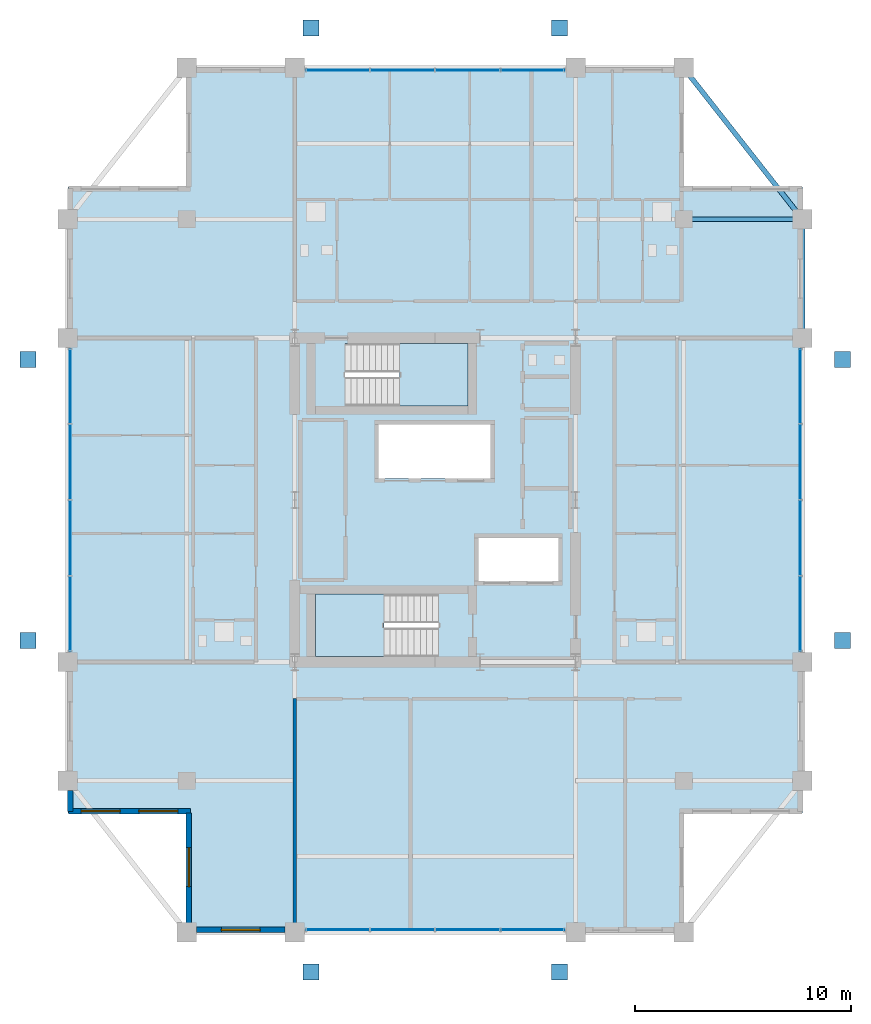
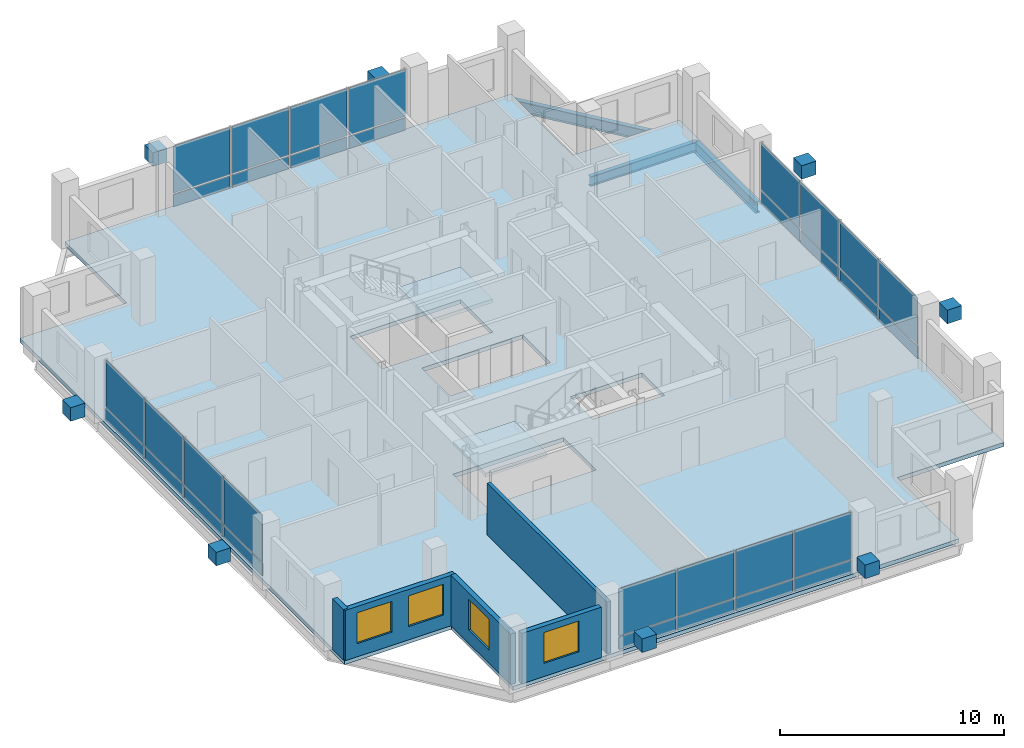
# One storey, part 15 of 21: 40 plates, 5 walls, 4 windows, 3 beams, 3 slabs, 4 openings, 6 elements without a shape of their own.
"""IFC4 building model written with IfcOpenShell, lengths in metres."""

import ifcopenshell
import ifcopenshell.guid

model = None  # the IFC model being written
_history = None  # IfcOwnerHistory: only IFC2X3 demands one
_inside = {}  # id of a spatial element -> (the spatial element, [elements in it])
_under = {}  # id of a project, library or spatial element -> (it, [spatial elements below it])
_declared = {}  # id of a project -> (the project, [libraries it declares])
_typed = {}  # id of a type object -> (the type object, [elements of that type])
_made_of = {}  # id of a material, layer set ... -> (it, [elements and type objects made of it])


def new_model(schema):
    """Start an empty IFC model of exactly this schema.

    Asked for "IFC4X3", IfcOpenShell would pick the latest addendum, in which some entities
    have other attributes; the version numbers below select the first issue.
    IFC2X3 requires an IfcOwnerHistory on every rooted entity: one is made here for all.
    """
    global model, _history
    if schema == "IFC4X3":
        model = ifcopenshell.file(schema_version=(4, 3, 0, 0))
    else:
        model = ifcopenshell.file(schema=schema)
    _inside.clear()
    _under.clear()
    _declared.clear()
    _typed.clear()
    _made_of.clear()
    _history = None
    if model.schema == "IFC2X3":
        org = make("IfcOrganization", Name="unknown")
        user = make(
            "IfcPersonAndOrganization",
            ThePerson=make("IfcPerson", FamilyName="unknown"),
            TheOrganization=org,
        )
        app = make(
            "IfcApplication",
            ApplicationDeveloper=org,
            Version="unknown",
            ApplicationFullName="unknown",
            ApplicationIdentifier="unknown",
        )
        _history = make(
            "IfcOwnerHistory",
            OwningUser=user,
            OwningApplication=app,
            ChangeAction="ADDED",
            CreationDate=0,
        )
    return model


def make(cls, **values):
    """One entity of the class cls with the attributes given. An attribute that is None is left unset."""
    return model.create_entity(
        cls, **{name: value for name, value in values.items() if value is not None}
    )


def rooted(cls, **values):
    """An entity with a GlobalId (a new one), such as an element, a storey or a relation."""
    return make(cls, GlobalId=ifcopenshell.guid.new(), OwnerHistory=_history, **values)


def si_unit(unit_type, name, prefix=None):
    """IfcSIUnit, for example si_unit("LENGTHUNIT", "METRE", prefix="MILLI")."""
    return make("IfcSIUnit", UnitType=unit_type, Prefix=prefix, Name=name)


def assignment(units):
    """IfcUnitAssignment: the units of a project."""
    return None if units is None else make("IfcUnitAssignment", Units=units)


def point(xyz):
    """IfcCartesianPoint."""
    return None if xyz is None else make("IfcCartesianPoint", Coordinates=xyz)


def direction(xyz):
    """IfcDirection."""
    return None if xyz is None else make("IfcDirection", DirectionRatios=xyz)


def frame(location, z_axis=None, x_axis=None):
    """IfcAxis2Placement3D, a coordinate frame: its origin and axes. An axis left out is left unset."""
    return make(
        "IfcAxis2Placement3D",
        Location=point(location),
        Axis=direction(z_axis),
        RefDirection=direction(x_axis),
    )


def frame_2d(location, x_axis=None):
    """IfcAxis2Placement2D, a coordinate frame in the plane: its origin and x axis."""
    return make(
        "IfcAxis2Placement2D", Location=point(location), RefDirection=direction(x_axis)
    )


def origin():
    """The frame at (0, 0, 0) with its axes left unset."""
    return frame((0.0, 0.0, 0.0))


def origin_2d():
    """The frame at (0, 0) in the plane with its x axis left unset."""
    return frame_2d((0.0, 0.0))


def place(relative_to, where):
    """IfcLocalPlacement: puts the frame where relative to a parent placement (None: the world)."""
    return make(
        "IfcLocalPlacement", PlacementRelTo=relative_to, RelativePlacement=where
    )


def context(
    kind, dimensions, precision=None, world=None, true_north=None, identifier=None
):
    """IfcGeometricRepresentationContext, for example the 3D "Model" context."""
    return make(
        "IfcGeometricRepresentationContext",
        ContextIdentifier=identifier,
        ContextType=kind,
        CoordinateSpaceDimension=dimensions,
        Precision=precision,
        WorldCoordinateSystem=world,
        TrueNorth=true_north,
    )


def subcontext(parent, identifier, kind, view, scale=None):
    """IfcGeometricRepresentationSubContext, for example "Body" below "Model"."""
    return make(
        "IfcGeometricRepresentationSubContext",
        ContextIdentifier=identifier,
        ContextType=kind,
        ParentContext=parent,
        TargetScale=scale,
        TargetView=view,
    )


def project(units=None, contexts=None):
    """IfcProject with its units and contexts."""
    return rooted(
        "IfcProject",
        Name="project",
        RepresentationContexts=contexts,
        UnitsInContext=assignment(units),
    )


def spatial(cls, under=None, at=None, **own):
    """A site, building, storey or space (cls), placed at a placement, below another one or the project."""
    s = rooted(cls, ObjectPlacement=at, **own)
    if under is not None:
        _under.setdefault(under.id(), (under, []))[1].append(s)
    return s


def polyline(points):
    """IfcPolyline through the points."""
    return make("IfcPolyline", Points=[point(p) for p in points])


def profile(cls, at=None, kind="AREA", **sizes):
    """A parametric profile (cls). Its sizes go by their IFC names, for example OverallWidth=200.0."""
    return make(cls, ProfileType=kind, Position=at, **sizes)


def rectangle(**sizes):
    """IfcRectangleProfileDef."""
    return profile("IfcRectangleProfileDef", **sizes)


def i_section(**sizes):
    """IfcIShapeProfileDef."""
    return profile("IfcIShapeProfileDef", **sizes)


def outline(outer, holes=None, kind="AREA"):
    """IfcArbitraryClosedProfileDef: a profile drawn as a closed curve; with holes, ...WithVoids."""
    if holes is None:
        return make("IfcArbitraryClosedProfileDef", ProfileType=kind, OuterCurve=outer)
    return make(
        "IfcArbitraryProfileDefWithVoids",
        ProfileType=kind,
        OuterCurve=outer,
        InnerCurves=holes,
    )


def extrude(swept, where, along, depth):
    """IfcExtrudedAreaSolid: the profile swept, set in the frame where, extruded along a direction by depth."""
    return make(
        "IfcExtrudedAreaSolid",
        SweptArea=swept,
        Position=where,
        ExtrudedDirection=direction(along),
        Depth=depth,
    )


def shape(context_of_items, identifier, shape_type, items):
    """IfcShapeRepresentation: the items that make up one representation, for example the "Body"."""
    return make(
        "IfcShapeRepresentation",
        ContextOfItems=context_of_items,
        RepresentationIdentifier=identifier,
        RepresentationType=shape_type,
        Items=items,
    )


def material(Name=None, Category=None):
    """IfcMaterial."""
    return make("IfcMaterial", Name=Name, Category=Category)


def layer(
    of_material, thickness, ventilated=None, Name=None, Category=None, Priority=None
):
    """IfcMaterialLayer: one layer of a wall or slab, of a material (None: an air gap)."""
    return make(
        "IfcMaterialLayer",
        Material=of_material,
        LayerThickness=thickness,
        IsVentilated=ventilated,
        Name=Name,
        Category=Category,
        Priority=Priority,
    )


def layer_set(layers, Name=None):
    """IfcMaterialLayerSet."""
    return make("IfcMaterialLayerSet", MaterialLayers=layers, LayerSetName=Name)


def material_profile(
    of_material, cross_section, Name=None, Category=None, Priority=None
):
    """IfcMaterialProfile: a cross section and its material."""
    return make(
        "IfcMaterialProfile",
        Name=Name,
        Material=of_material,
        Profile=cross_section,
        Priority=Priority,
        Category=Category,
    )


def profile_set(profiles, Name=None, composite=None):
    """IfcMaterialProfileSet."""
    return make(
        "IfcMaterialProfileSet",
        Name=Name,
        MaterialProfiles=profiles,
        CompositeProfile=composite,
    )


def made_of(thing, what):
    """Note that an element or type object is made of a material, layer set ...; save() writes the relation."""
    if what is not None:
        _made_of.setdefault(what.id(), (what, []))[1].append(thing)
    return thing


def type_object(cls, material=None, **own):
    """A type object (cls), such as IfcWallType, which elements share."""
    return made_of(rooted(cls, **own), material)


def element(
    cls,
    number,
    at=None,
    inside=None,
    cuts=None,
    type_object=None,
    material=None,
    context=None,
    identifier="Body",
    shape_type=None,
    held_by="IfcProductDefinitionShape",
    body=None,
    shapes=None,
    **own,
):
    """One element of the class cls, such as IfcWall. Its Tag is "e" and its number.

    at: its placement. inside: the storey or other place that contains it. cuts: it is an
    opening in that element (IfcRelVoidsElement). A single representation is given by context,
    identifier, shape_type and body (its items); several are given by shapes. held_by: the class
    of the entity that holds the representations. save() writes the other relations.
    """
    e = rooted(cls, Tag="e%d" % number, ObjectPlacement=at, **own)
    if body is not None:
        shapes = [shape(context, identifier, shape_type, body)]
    if shapes is not None:
        e.Representation = make(held_by, Representations=shapes)
    if inside is not None:
        _inside.setdefault(inside.id(), (inside, []))[1].append(e)
    if cuts is not None:
        rooted(
            "IfcRelVoidsElement", RelatingBuildingElement=cuts, RelatedOpeningElement=e
        )
    if type_object is not None:
        _typed.setdefault(type_object.id(), (type_object, []))[1].append(e)
    return made_of(e, material)


def fill(opening, filler):
    """IfcRelFillsElement: the door or window that sits in an opening."""
    return rooted(
        "IfcRelFillsElement",
        RelatingOpeningElement=opening,
        RelatedBuildingElement=filler,
    )


def aggregate(whole, parts):
    """IfcRelAggregates: a whole, such as a stair, and the parts it consists of."""
    return rooted("IfcRelAggregates", RelatingObject=whole, RelatedObjects=parts)


def save(model, path):
    """Write the relations noted so far, then the file.

    IfcRelAggregates (storeys below a building ...), IfcRelContainedInSpatialStructure (elements
    in a storey), IfcRelDefinesByType, IfcRelAssociatesMaterial and IfcRelDeclares: one each for
    every whole, place, type object, material and project.
    """
    for whole, parts in _under.values():
        aggregate(whole, parts)
    for where, things in _inside.values():
        rooted(
            "IfcRelContainedInSpatialStructure",
            RelatedElements=things,
            RelatingStructure=where,
        )
    for kind, things in _typed.values():
        rooted("IfcRelDefinesByType", RelatedObjects=things, RelatingType=kind)
    for what, things in _made_of.values():
        rooted("IfcRelAssociatesMaterial", RelatedObjects=things, RelatingMaterial=what)
    for by, libraries in _declared.values():
        rooted("IfcRelDeclares", RelatingContext=by, RelatedDefinitions=libraries)
    model.write(path)


model = new_model("IFC4")

# Units and contexts
model_context = context("Model", 3, precision=1e-05, world=origin(), true_north=direction((0.0, 1.0)))
body_context = subcontext(model_context, "Body", "Model", "MODEL_VIEW")
ifc_project = project(units=[si_unit("LENGTHUNIT", "METRE"), si_unit("AREAUNIT", "SQUARE_METRE"), si_unit("VOLUMEUNIT", "CUBIC_METRE"), si_unit("PLANEANGLEUNIT", "RADIAN"), si_unit("MASSUNIT", "GRAM", prefix="KILO")], contexts=[model_context])

# Site, building, storey
site_placement = place(None, origin())
site = spatial("IfcSite", under=ifc_project, at=site_placement, CompositionType="ELEMENT")
building_placement = place(site_placement, origin())
building = spatial("IfcBuilding", under=site, at=building_placement, Name="Barlavira Tower and Art Museum", CompositionType="ELEMENT")
storey_placement = place(building_placement, frame((0.0, 0.0, 254.699951171875)))
storey = spatial("IfcBuildingStorey", under=building, at=storey_placement, Name="L66", CompositionType="ELEMENT", Elevation=254.699951171875)

# Beams
ifc_material_1 = material(Name="Steel S355", Category="steel")
ifc_material_profile_1 = material_profile(ifc_material_1, i_section(OverallWidth=0.22998046875, OverallDepth=0.616943359375, WebThickness=0.01318359375, FlangeThickness=0.022216796875, at=origin_2d()), Name="W610x140.0")
ifc_profile_set_1 = profile_set([ifc_material_profile_1], Name="Steel S355")
beam_type_1 = type_object("IfcBeamType", Name="Upper Shaft Spandrel Edge Beam W610x140 Steel S355", PredefinedType="SPANDREL", material=ifc_profile_set_1)
beam_1_placement = place(storey_placement, frame((17.0, 7.5, -0.528564453125), z_axis=(0.0, 1.0, 0.0), x_axis=(-1.0, 0.0, 0.0)))
element("IfcBeam", 1, at=beam_1_placement, inside=storey, type_object=beam_type_1, Name="L66 Spandrel 7", PredefinedType="SPANDREL", context=body_context, shape_type="SweptSolid", body=[
    extrude(i_section(OverallWidth=0.22998046875, OverallDepth=0.616943359375, WebThickness=0.01318359375, FlangeThickness=0.022216796875, at=origin_2d()), origin(), (0.0, 0.0, 1.0), 5.5),
])
beam_2_placement = place(storey_placement, frame((17.0, 13.0, -0.528564453125), z_axis=(-0.617821551932, 0.786318338822, 0.0), x_axis=(-0.786318338822, -0.617821551932, 0.0)))
element("IfcBeam", 2, at=beam_2_placement, inside=storey, type_object=beam_type_1, Name="L66 Spandrel 8", PredefinedType="SPANDREL", context=body_context, shape_type="SweptSolid", body=[
    extrude(i_section(OverallWidth=0.22998046875, OverallDepth=0.616943359375, WebThickness=0.01318359375, FlangeThickness=0.022216796875, at=origin_2d()), origin(), (0.0, 0.0, 1.0), 8.90234375),
])
ifc_material_profile_2 = material_profile(ifc_material_1, i_section(OverallWidth=0.2109375, OverallDepth=0.5390625, WebThickness=0.01171875, FlangeThickness=0.018798828125, at=origin_2d()), Name="W530x109.0")
ifc_profile_set_2 = profile_set([ifc_material_profile_2], Name="Steel S355")
beam_type_2 = type_object("IfcBeamType", Name="Zone 3-4 Primary Floor Girder W530x109 Steel S355", PredefinedType="BEAM", material=ifc_profile_set_2)
beam_3_placement = place(storey_placement, frame((11.5, 13.0, -0.489501953125), z_axis=(1.0, 0.0, 0.0), x_axis=(0.0, 1.0, 0.0)))
element("IfcBeam", 3, at=beam_3_placement, inside=storey, type_object=beam_type_2, Name="L66 Girder I-N4", PredefinedType="BEAM", context=body_context, shape_type="SweptSolid", body=[
    extrude(i_section(OverallWidth=0.2109375, OverallDepth=0.5390625, WebThickness=0.01171875, FlangeThickness=0.018798828125, at=origin_2d()), origin(), (0.0, 0.0, 1.0), 5.5),
])

# Curtain wall, plates
ifc_material_2 = material(Name="Low-iron coastal laminated glass", Category="glass")
ifc_layer_1 = layer(ifc_material_2, 0.2099609375, Name="Low-iron coastal laminated glass")
ifc_layer_set_1 = layer_set([ifc_layer_1], Name="Low-iron coastal laminated glass")
curtain_wall_type = type_object("IfcCurtainWallType", Name="Pale-Metal Unitised Curtain Wall Zone 4", PredefinedType="NOTDEFINED", material=ifc_layer_set_1)
curtain_wall_1_placement = place(storey_placement, origin())
curtain_wall_1 = element("IfcCurtainWall", 4, at=curtain_wall_1_placement, inside=storey, type_object=curtain_wall_type, Name="L66 Curtain Wall CW4-L66-S-B2", PredefinedType="NOTDEFINED")
ifc_material_3 = material(Name="Pale anodised aluminium", Category="aluminium")
ifc_layer_2 = layer(ifc_material_3, 0.044921875, Name="Pale anodised aluminium")
ifc_layer_set_2 = layer_set([ifc_layer_2], Name="Pale anodised aluminium")
plate_type_1 = type_object("IfcPlateType", Name="Curtain Wall Pale-Metal Spandrel Panel 45", PredefinedType="CURTAIN_PANEL", material=ifc_layer_set_2)
plate_1_placement = place(storey_placement, frame((-4.5224609375, -19.89990234375, 0.0400390625), z_axis=(0.0, 0.0, 1.0), x_axis=(1.0, 0.0, 0.0)))
plate_1 = element("IfcPlate", 5, at=plate_1_placement, type_object=plate_type_1, Name="CW4-L66-S-B2 Spandrel Panel 0", PredefinedType="CURTAIN_PANEL", context=body_context, shape_type="SweptSolid", body=[
    extrude(rectangle(XDim=2.9150390625, YDim=0.044921875, at=origin_2d()), origin(), (0.0, 0.0, 1.0), 0.6640625),
])
plate_2_placement = place(storey_placement, frame((-1.507568359375, -19.89990234375, 0.0400390625), z_axis=(0.0, 0.0, 1.0), x_axis=(1.0, 0.0, 0.0)))
plate_2 = element("IfcPlate", 6, at=plate_2_placement, type_object=plate_type_1, Name="CW4-L66-S-B2 Spandrel Panel 1", PredefinedType="CURTAIN_PANEL", context=body_context, shape_type="SweptSolid", body=[
    extrude(rectangle(XDim=2.9150390625, YDim=0.044921875, at=origin_2d()), origin(), (0.0, 0.0, 1.0), 0.6640625),
])
plate_3_placement = place(storey_placement, frame((1.507568359375, -19.89990234375, 0.0400390625), z_axis=(0.0, 0.0, 1.0), x_axis=(1.0, 0.0, 0.0)))
plate_3 = element("IfcPlate", 7, at=plate_3_placement, type_object=plate_type_1, Name="CW4-L66-S-B2 Spandrel Panel 2", PredefinedType="CURTAIN_PANEL", context=body_context, shape_type="SweptSolid", body=[
    extrude(rectangle(XDim=2.9150390625, YDim=0.044921875, at=origin_2d()), origin(), (0.0, 0.0, 1.0), 0.6640625),
])
plate_4_placement = place(storey_placement, frame((4.5224609375, -19.89990234375, 0.0400390625), z_axis=(0.0, 0.0, 1.0), x_axis=(1.0, 0.0, 0.0)))
plate_4 = element("IfcPlate", 8, at=plate_4_placement, type_object=plate_type_1, Name="CW4-L66-S-B2 Spandrel Panel 3", PredefinedType="CURTAIN_PANEL", context=body_context, shape_type="SweptSolid", body=[
    extrude(rectangle(XDim=2.9150390625, YDim=0.044921875, at=origin_2d()), origin(), (0.0, 0.0, 1.0), 0.6640625),
])

curtain_wall_2_placement = place(storey_placement, origin())
curtain_wall_2 = element("IfcCurtainWall", 9, at=curtain_wall_2_placement, inside=storey, type_object=curtain_wall_type, Name="L66 Curtain Wall CW4-L66-N-B2", PredefinedType="NOTDEFINED")
plate_5_placement = place(storey_placement, frame((4.5224609375, 19.89990234375, 0.0400390625), z_axis=(0.0, 0.0, 1.0), x_axis=(-1.0, 0.0, 0.0)))
plate_5 = element("IfcPlate", 10, at=plate_5_placement, type_object=plate_type_1, Name="CW4-L66-N-B2 Spandrel Panel 0", PredefinedType="CURTAIN_PANEL", context=body_context, shape_type="SweptSolid", body=[
    extrude(rectangle(XDim=2.9150390625, YDim=0.044921875, at=origin_2d()), origin(), (0.0, 0.0, 1.0), 0.6640625),
])
plate_6_placement = place(storey_placement, frame((1.507568359375, 19.89990234375, 0.0400390625), z_axis=(0.0, 0.0, 1.0), x_axis=(-1.0, 0.0, 0.0)))
plate_6 = element("IfcPlate", 11, at=plate_6_placement, type_object=plate_type_1, Name="CW4-L66-N-B2 Spandrel Panel 1", PredefinedType="CURTAIN_PANEL", context=body_context, shape_type="SweptSolid", body=[
    extrude(rectangle(XDim=2.9150390625, YDim=0.044921875, at=origin_2d()), origin(), (0.0, 0.0, 1.0), 0.6640625),
])
plate_7_placement = place(storey_placement, frame((-1.507568359375, 19.89990234375, 0.0400390625), z_axis=(0.0, 0.0, 1.0), x_axis=(-1.0, 0.0, 0.0)))
plate_7 = element("IfcPlate", 12, at=plate_7_placement, type_object=plate_type_1, Name="CW4-L66-N-B2 Spandrel Panel 2", PredefinedType="CURTAIN_PANEL", context=body_context, shape_type="SweptSolid", body=[
    extrude(rectangle(XDim=2.9150390625, YDim=0.044921875, at=origin_2d()), origin(), (0.0, 0.0, 1.0), 0.6640625),
])
plate_8_placement = place(storey_placement, frame((-4.5224609375, 19.89990234375, 0.0400390625), z_axis=(0.0, 0.0, 1.0), x_axis=(-1.0, 0.0, 0.0)))
plate_8 = element("IfcPlate", 13, at=plate_8_placement, type_object=plate_type_1, Name="CW4-L66-N-B2 Spandrel Panel 3", PredefinedType="CURTAIN_PANEL", context=body_context, shape_type="SweptSolid", body=[
    extrude(rectangle(XDim=2.9150390625, YDim=0.044921875, at=origin_2d()), origin(), (0.0, 0.0, 1.0), 0.6640625),
])

curtain_wall_3_placement = place(storey_placement, origin())
curtain_wall_3 = element("IfcCurtainWall", 14, at=curtain_wall_3_placement, inside=storey, type_object=curtain_wall_type, Name="L66 Curtain Wall CW4-L66-W-B3", PredefinedType="NOTDEFINED")
plate_9_placement = place(storey_placement, frame((-16.89990234375, 5.2724609375, 0.0400390625), z_axis=(0.0, 0.0, 1.0), x_axis=(0.0, -1.0, 0.0)))
plate_9 = element("IfcPlate", 15, at=plate_9_placement, type_object=plate_type_1, Name="CW4-L66-W-B3 Spandrel Panel 0", PredefinedType="CURTAIN_PANEL", context=body_context, shape_type="SweptSolid", body=[
    extrude(rectangle(XDim=3.4150390625, YDim=0.044921875, at=origin_2d()), origin(), (0.0, 0.0, 1.0), 0.6640625),
])
plate_10_placement = place(storey_placement, frame((-16.89990234375, 1.757568359375, 0.0400390625), z_axis=(0.0, 0.0, 1.0), x_axis=(0.0, -1.0, 0.0)))
plate_10 = element("IfcPlate", 16, at=plate_10_placement, type_object=plate_type_1, Name="CW4-L66-W-B3 Spandrel Panel 1", PredefinedType="CURTAIN_PANEL", context=body_context, shape_type="SweptSolid", body=[
    extrude(rectangle(XDim=3.4150390625, YDim=0.044921875, at=origin_2d()), origin(), (0.0, 0.0, 1.0), 0.6640625),
])
plate_11_placement = place(storey_placement, frame((-16.89990234375, -1.757568359375, 0.0400390625), z_axis=(0.0, 0.0, 1.0), x_axis=(0.0, -1.0, 0.0)))
plate_11 = element("IfcPlate", 17, at=plate_11_placement, type_object=plate_type_1, Name="CW4-L66-W-B3 Spandrel Panel 2", PredefinedType="CURTAIN_PANEL", context=body_context, shape_type="SweptSolid", body=[
    extrude(rectangle(XDim=3.4150390625, YDim=0.044921875, at=origin_2d()), origin(), (0.0, 0.0, 1.0), 0.6640625),
])
plate_12_placement = place(storey_placement, frame((-16.89990234375, -5.2724609375, 0.0400390625), z_axis=(0.0, 0.0, 1.0), x_axis=(0.0, -1.0, 0.0)))
plate_12 = element("IfcPlate", 18, at=plate_12_placement, type_object=plate_type_1, Name="CW4-L66-W-B3 Spandrel Panel 3", PredefinedType="CURTAIN_PANEL", context=body_context, shape_type="SweptSolid", body=[
    extrude(rectangle(XDim=3.4150390625, YDim=0.044921875, at=origin_2d()), origin(), (0.0, 0.0, 1.0), 0.6640625),
])

curtain_wall_4_placement = place(storey_placement, origin())
curtain_wall_4 = element("IfcCurtainWall", 19, at=curtain_wall_4_placement, inside=storey, type_object=curtain_wall_type, Name="L66 Curtain Wall CW4-L66-E-B3", PredefinedType="NOTDEFINED")
plate_13_placement = place(storey_placement, frame((16.89990234375, -5.2724609375, 0.0400390625), z_axis=(0.0, 0.0, 1.0), x_axis=(0.0, 1.0, 0.0)))
plate_13 = element("IfcPlate", 20, at=plate_13_placement, type_object=plate_type_1, Name="CW4-L66-E-B3 Spandrel Panel 0", PredefinedType="CURTAIN_PANEL", context=body_context, shape_type="SweptSolid", body=[
    extrude(rectangle(XDim=3.4150390625, YDim=0.044921875, at=origin_2d()), origin(), (0.0, 0.0, 1.0), 0.6640625),
])
plate_14_placement = place(storey_placement, frame((16.89990234375, -1.757568359375, 0.0400390625), z_axis=(0.0, 0.0, 1.0), x_axis=(0.0, 1.0, 0.0)))
plate_14 = element("IfcPlate", 21, at=plate_14_placement, type_object=plate_type_1, Name="CW4-L66-E-B3 Spandrel Panel 1", PredefinedType="CURTAIN_PANEL", context=body_context, shape_type="SweptSolid", body=[
    extrude(rectangle(XDim=3.4150390625, YDim=0.044921875, at=origin_2d()), origin(), (0.0, 0.0, 1.0), 0.6640625),
])
plate_15_placement = place(storey_placement, frame((16.89990234375, 1.757568359375, 0.0400390625), z_axis=(0.0, 0.0, 1.0), x_axis=(0.0, 1.0, 0.0)))
plate_15 = element("IfcPlate", 22, at=plate_15_placement, type_object=plate_type_1, Name="CW4-L66-E-B3 Spandrel Panel 2", PredefinedType="CURTAIN_PANEL", context=body_context, shape_type="SweptSolid", body=[
    extrude(rectangle(XDim=3.4150390625, YDim=0.044921875, at=origin_2d()), origin(), (0.0, 0.0, 1.0), 0.6640625),
])
plate_16_placement = place(storey_placement, frame((16.89990234375, 5.2724609375, 0.0400390625), z_axis=(0.0, 0.0, 1.0), x_axis=(0.0, 1.0, 0.0)))
plate_16 = element("IfcPlate", 23, at=plate_16_placement, type_object=plate_type_1, Name="CW4-L66-E-B3 Spandrel Panel 3", PredefinedType="CURTAIN_PANEL", context=body_context, shape_type="SweptSolid", body=[
    extrude(rectangle(XDim=3.4150390625, YDim=0.044921875, at=origin_2d()), origin(), (0.0, 0.0, 1.0), 0.6640625),
])

# Plate
ifc_layer_3 = layer(ifc_material_2, 0.028076171875, Name="Low-iron coastal laminated glass")
ifc_layer_set_3 = layer_set([ifc_layer_3], Name="Low-iron coastal laminated glass")
plate_type_2 = type_object("IfcPlateType", Name="Curtain Wall Vision Glazing Panel 28", PredefinedType="CURTAIN_PANEL", material=ifc_layer_set_3)
plate_17_placement = place(storey_placement, frame((-4.5224609375, -19.89990234375, 0.7841796875), z_axis=(0.0, 0.0, 1.0), x_axis=(1.0, 0.0, 0.0)))
plate_17 = element("IfcPlate", 24, at=plate_17_placement, type_object=plate_type_2, Name="CW4-L66-S-B2 Vision Glass Panel 0", PredefinedType="CURTAIN_PANEL", context=body_context, shape_type="SweptSolid", body=[
    extrude(rectangle(XDim=2.9150390625, YDim=0.028076171875, at=origin_2d()), origin(), (0.0, 0.0, 1.0), 2.555908203125),
])

plate_18_placement = place(storey_placement, frame((-1.507568359375, -19.89990234375, 0.7841796875), z_axis=(0.0, 0.0, 1.0), x_axis=(1.0, 0.0, 0.0)))
plate_18 = element("IfcPlate", 25, at=plate_18_placement, type_object=plate_type_2, Name="CW4-L66-S-B2 Vision Glass Panel 1", PredefinedType="CURTAIN_PANEL", context=body_context, shape_type="SweptSolid", body=[
    extrude(rectangle(XDim=2.9150390625, YDim=0.028076171875, at=origin_2d()), origin(), (0.0, 0.0, 1.0), 2.555908203125),
])

plate_19_placement = place(storey_placement, frame((1.507568359375, -19.89990234375, 0.7841796875), z_axis=(0.0, 0.0, 1.0), x_axis=(1.0, 0.0, 0.0)))
plate_19 = element("IfcPlate", 26, at=plate_19_placement, type_object=plate_type_2, Name="CW4-L66-S-B2 Vision Glass Panel 2", PredefinedType="CURTAIN_PANEL", context=body_context, shape_type="SweptSolid", body=[
    extrude(rectangle(XDim=2.9150390625, YDim=0.028076171875, at=origin_2d()), origin(), (0.0, 0.0, 1.0), 2.555908203125),
])

plate_20_placement = place(storey_placement, frame((4.5224609375, -19.89990234375, 0.7841796875), z_axis=(0.0, 0.0, 1.0), x_axis=(1.0, 0.0, 0.0)))
plate_20 = element("IfcPlate", 27, at=plate_20_placement, type_object=plate_type_2, Name="CW4-L66-S-B2 Vision Glass Panel 3", PredefinedType="CURTAIN_PANEL", context=body_context, shape_type="SweptSolid", body=[
    extrude(rectangle(XDim=2.9150390625, YDim=0.028076171875, at=origin_2d()), origin(), (0.0, 0.0, 1.0), 2.555908203125),
])

aggregate(curtain_wall_1, [plate_1, plate_17, plate_2, plate_18, plate_3, plate_19, plate_4, plate_20])

plate_21_placement = place(storey_placement, frame((4.5224609375, 19.89990234375, 0.7841796875), z_axis=(0.0, 0.0, 1.0), x_axis=(-1.0, 0.0, 0.0)))
plate_21 = element("IfcPlate", 28, at=plate_21_placement, type_object=plate_type_2, Name="CW4-L66-N-B2 Vision Glass Panel 0", PredefinedType="CURTAIN_PANEL", context=body_context, shape_type="SweptSolid", body=[
    extrude(rectangle(XDim=2.9150390625, YDim=0.028076171875, at=origin_2d()), origin(), (0.0, 0.0, 1.0), 2.555908203125),
])

plate_22_placement = place(storey_placement, frame((1.507568359375, 19.89990234375, 0.7841796875), z_axis=(0.0, 0.0, 1.0), x_axis=(-1.0, 0.0, 0.0)))
plate_22 = element("IfcPlate", 29, at=plate_22_placement, type_object=plate_type_2, Name="CW4-L66-N-B2 Vision Glass Panel 1", PredefinedType="CURTAIN_PANEL", context=body_context, shape_type="SweptSolid", body=[
    extrude(rectangle(XDim=2.9150390625, YDim=0.028076171875, at=origin_2d()), origin(), (0.0, 0.0, 1.0), 2.555908203125),
])

plate_23_placement = place(storey_placement, frame((-1.507568359375, 19.89990234375, 0.7841796875), z_axis=(0.0, 0.0, 1.0), x_axis=(-1.0, 0.0, 0.0)))
plate_23 = element("IfcPlate", 30, at=plate_23_placement, type_object=plate_type_2, Name="CW4-L66-N-B2 Vision Glass Panel 2", PredefinedType="CURTAIN_PANEL", context=body_context, shape_type="SweptSolid", body=[
    extrude(rectangle(XDim=2.9150390625, YDim=0.028076171875, at=origin_2d()), origin(), (0.0, 0.0, 1.0), 2.555908203125),
])

plate_24_placement = place(storey_placement, frame((-4.5224609375, 19.89990234375, 0.7841796875), z_axis=(0.0, 0.0, 1.0), x_axis=(-1.0, 0.0, 0.0)))
plate_24 = element("IfcPlate", 31, at=plate_24_placement, type_object=plate_type_2, Name="CW4-L66-N-B2 Vision Glass Panel 3", PredefinedType="CURTAIN_PANEL", context=body_context, shape_type="SweptSolid", body=[
    extrude(rectangle(XDim=2.9150390625, YDim=0.028076171875, at=origin_2d()), origin(), (0.0, 0.0, 1.0), 2.555908203125),
])

aggregate(curtain_wall_2, [plate_5, plate_21, plate_6, plate_22, plate_7, plate_23, plate_8, plate_24])

plate_25_placement = place(storey_placement, frame((-16.89990234375, 5.2724609375, 0.7841796875), z_axis=(0.0, 0.0, 1.0), x_axis=(0.0, -1.0, 0.0)))
plate_25 = element("IfcPlate", 32, at=plate_25_placement, type_object=plate_type_2, Name="CW4-L66-W-B3 Vision Glass Panel 0", PredefinedType="CURTAIN_PANEL", context=body_context, shape_type="SweptSolid", body=[
    extrude(rectangle(XDim=3.4150390625, YDim=0.028076171875, at=origin_2d()), origin(), (0.0, 0.0, 1.0), 2.555908203125),
])

plate_26_placement = place(storey_placement, frame((-16.89990234375, 1.757568359375, 0.7841796875), z_axis=(0.0, 0.0, 1.0), x_axis=(0.0, -1.0, 0.0)))
plate_26 = element("IfcPlate", 33, at=plate_26_placement, type_object=plate_type_2, Name="CW4-L66-W-B3 Vision Glass Panel 1", PredefinedType="CURTAIN_PANEL", context=body_context, shape_type="SweptSolid", body=[
    extrude(rectangle(XDim=3.4150390625, YDim=0.028076171875, at=origin_2d()), origin(), (0.0, 0.0, 1.0), 2.555908203125),
])

plate_27_placement = place(storey_placement, frame((-16.89990234375, -1.757568359375, 0.7841796875), z_axis=(0.0, 0.0, 1.0), x_axis=(0.0, -1.0, 0.0)))
plate_27 = element("IfcPlate", 34, at=plate_27_placement, type_object=plate_type_2, Name="CW4-L66-W-B3 Vision Glass Panel 2", PredefinedType="CURTAIN_PANEL", context=body_context, shape_type="SweptSolid", body=[
    extrude(rectangle(XDim=3.4150390625, YDim=0.028076171875, at=origin_2d()), origin(), (0.0, 0.0, 1.0), 2.555908203125),
])

plate_28_placement = place(storey_placement, frame((-16.89990234375, -5.2724609375, 0.7841796875), z_axis=(0.0, 0.0, 1.0), x_axis=(0.0, -1.0, 0.0)))
plate_28 = element("IfcPlate", 35, at=plate_28_placement, type_object=plate_type_2, Name="CW4-L66-W-B3 Vision Glass Panel 3", PredefinedType="CURTAIN_PANEL", context=body_context, shape_type="SweptSolid", body=[
    extrude(rectangle(XDim=3.4150390625, YDim=0.028076171875, at=origin_2d()), origin(), (0.0, 0.0, 1.0), 2.555908203125),
])

aggregate(curtain_wall_3, [plate_9, plate_25, plate_10, plate_26, plate_11, plate_27, plate_12, plate_28])

plate_29_placement = place(storey_placement, frame((16.89990234375, -5.2724609375, 0.7841796875), z_axis=(0.0, 0.0, 1.0), x_axis=(0.0, 1.0, 0.0)))
plate_29 = element("IfcPlate", 36, at=plate_29_placement, type_object=plate_type_2, Name="CW4-L66-E-B3 Vision Glass Panel 0", PredefinedType="CURTAIN_PANEL", context=body_context, shape_type="SweptSolid", body=[
    extrude(rectangle(XDim=3.4150390625, YDim=0.028076171875, at=origin_2d()), origin(), (0.0, 0.0, 1.0), 2.555908203125),
])

plate_30_placement = place(storey_placement, frame((16.89990234375, -1.757568359375, 0.7841796875), z_axis=(0.0, 0.0, 1.0), x_axis=(0.0, 1.0, 0.0)))
plate_30 = element("IfcPlate", 37, at=plate_30_placement, type_object=plate_type_2, Name="CW4-L66-E-B3 Vision Glass Panel 1", PredefinedType="CURTAIN_PANEL", context=body_context, shape_type="SweptSolid", body=[
    extrude(rectangle(XDim=3.4150390625, YDim=0.028076171875, at=origin_2d()), origin(), (0.0, 0.0, 1.0), 2.555908203125),
])

plate_31_placement = place(storey_placement, frame((16.89990234375, 1.757568359375, 0.7841796875), z_axis=(0.0, 0.0, 1.0), x_axis=(0.0, 1.0, 0.0)))
plate_31 = element("IfcPlate", 38, at=plate_31_placement, type_object=plate_type_2, Name="CW4-L66-E-B3 Vision Glass Panel 2", PredefinedType="CURTAIN_PANEL", context=body_context, shape_type="SweptSolid", body=[
    extrude(rectangle(XDim=3.4150390625, YDim=0.028076171875, at=origin_2d()), origin(), (0.0, 0.0, 1.0), 2.555908203125),
])

plate_32_placement = place(storey_placement, frame((16.89990234375, 5.2724609375, 0.7841796875), z_axis=(0.0, 0.0, 1.0), x_axis=(0.0, 1.0, 0.0)))
plate_32 = element("IfcPlate", 39, at=plate_32_placement, type_object=plate_type_2, Name="CW4-L66-E-B3 Vision Glass Panel 3", PredefinedType="CURTAIN_PANEL", context=body_context, shape_type="SweptSolid", body=[
    extrude(rectangle(XDim=3.4150390625, YDim=0.028076171875, at=origin_2d()), origin(), (0.0, 0.0, 1.0), 2.555908203125),
])

aggregate(curtain_wall_4, [plate_13, plate_29, plate_14, plate_30, plate_15, plate_31, plate_16, plate_32])

# Plates
ifc_layer_4 = layer(ifc_material_1, 0.739990234375, Name="Steel S355")
ifc_layer_set_4 = layer_set([ifc_layer_4], Name="Steel S355")
plate_type_3 = type_object("IfcPlateType", Name="Exoskeleton Solid Steel Node Cap Plate Assembly Type 4 Steel S355", PredefinedType="USERDEFINED", material=ifc_layer_set_4)
for number, where, z_axis, x_axis, name in (
    (40, (-5.75, -21.85009765625, 1.31005859375), (0.0, 0.0, 1.0), (1.0, 0.0, 0.0), "Exoskeleton Diamond Node S1 ND-L66-0736"),
    (41, (5.75, -21.85009765625, 1.31005859375), (0.0, 0.0, 1.0), (1.0, 0.0, 0.0), "Exoskeleton Diamond Node S2 ND-L66-0737"),
    (42, (-5.75, 21.85009765625, 1.31005859375), (0.0, 0.0, 1.0), (1.0, 0.0, 0.0), "Exoskeleton Diamond Node N1 ND-L66-0744"),
    (43, (5.75, 21.85009765625, 1.31005859375), (0.0, 0.0, 1.0), (1.0, 0.0, 0.0), "Exoskeleton Diamond Node N2 ND-L66-0745"),
    (44, (-18.85009765625, -6.5, 1.31005859375), (0.0, 0.0, 1.0), (1.0, 0.0, 0.0), "Exoskeleton Diamond Node W1 ND-L66-0752"),
    (45, (-18.85009765625, 6.5, 1.31005859375), (0.0, 0.0, 1.0), (1.0, 0.0, 0.0), "Exoskeleton Diamond Node W2 ND-L66-0753"),
    (46, (18.85009765625, -6.5, 1.31005859375), (0.0, 0.0, 1.0), (1.0, 0.0, 0.0), "Exoskeleton Diamond Node E1 ND-L66-0760"),
    (47, (18.85009765625, 6.5, 1.31005859375), (0.0, 0.0, 1.0), (1.0, 0.0, 0.0), "Exoskeleton Diamond Node E2 ND-L66-0761"),
):
    element("IfcPlate", number, at=place(storey_placement, frame(where, z_axis=z_axis, x_axis=x_axis)), inside=storey, type_object=plate_type_3, Name=name, ObjectType="FLANGE_PLATE", PredefinedType="USERDEFINED", context=body_context, shape_type="SweptSolid", body=[
        extrude(rectangle(XDim=0.739990234375, YDim=0.739990234375, at=origin_2d()), origin(), (0.0, 0.0, 1.0), 0.739990234375),
    ])

# Stair, slab
ifc_material_4 = material(Name="Concrete C45", Category="concrete")
stair_type_1 = type_object("IfcStairType", Name="Tower North Dog-Leg Exit Stair Assembly Concrete C45", PredefinedType="TWO_QUARTER_TURN_STAIR", material=ifc_material_4)
stair_1_placement = place(storey_placement, origin())
stair_1 = element("IfcStair", 48, at=stair_1_placement, inside=storey, type_object=stair_type_1, Name="L66 Tower North Exit Stair ST-T2", PredefinedType="TWO_QUARTER_TURN_STAIR")
ifc_layer_5 = layer(ifc_material_4, 0.199951171875, Name="Concrete C45")
ifc_layer_set_5 = layer_set([ifc_layer_5], Name="Concrete C45")
slab_type_1 = type_object("IfcSlabType", Name="Tower North Dog-Leg Exit Stair Half-Landing Slab 200 Concrete C45", PredefinedType="LANDING", material=ifc_layer_set_5)
slab_1_placement = place(storey_placement, frame((0.0, 0.0, 1.60009765625)))
slab_1 = element("IfcSlab", 49, at=slab_1_placement, type_object=slab_type_1, Name="ST-T2 landing 1", PredefinedType="LANDING", context=body_context, shape_type="SweptSolid", body=[
    extrude(outline(polyline([(-1.64990234375, 4.35009765625), (1.530029296875, 4.35009765625), (1.530029296875, 7.25), (-1.64990234375, 7.25), (-1.64990234375, 4.35009765625)])), origin(), (0.0, 0.0, 1.0), 0.199951171875),
])
aggregate(stair_1, [slab_1])

stair_type_2 = type_object("IfcStairType", Name="Tower South Dog-Leg Exit Stair Assembly Concrete C45", PredefinedType="TWO_QUARTER_TURN_STAIR", material=ifc_material_4)
stair_2_placement = place(storey_placement, origin())
stair_2 = element("IfcStair", 50, at=stair_2_placement, inside=storey, type_object=stair_type_2, Name="L66 Tower South Exit Stair ST-T1", PredefinedType="TWO_QUARTER_TURN_STAIR")
ifc_layer_6 = layer(ifc_material_4, 0.199951171875, Name="Concrete C45")
ifc_layer_set_6 = layer_set([ifc_layer_6], Name="Concrete C45")
slab_type_2 = type_object("IfcSlabType", Name="Tower South Dog-Leg Exit Stair Half-Landing Slab 200 Concrete C45", PredefinedType="LANDING", material=ifc_layer_set_6)
slab_2_placement = place(storey_placement, frame((0.0, 0.0, 1.60009765625)))
slab_2 = element("IfcSlab", 51, at=slab_2_placement, type_object=slab_type_2, Name="ST-T1 landing 1", PredefinedType="LANDING", context=body_context, shape_type="SweptSolid", body=[
    extrude(outline(polyline([(-2.3701171875, -4.35009765625), (-5.550048828125, -4.35009765625), (-5.550048828125, -7.25), (-2.3701171875, -7.25), (-2.3701171875, -4.35009765625)])), origin(), (0.0, 0.0, 1.0), 0.199951171875),
])
aggregate(stair_2, [slab_2])

# Slab
ifc_material_5 = material(Name="Concrete C50", Category="concrete")
ifc_layer_7 = layer(ifc_material_5, 0.18994140625, Name="Concrete C50")
ifc_layer_set_7 = layer_set([ifc_layer_7], Name="Concrete C50")
slab_type_3 = type_object("IfcSlabType", Name="Zone 4 Residential Composite Slab 190 Concrete C50", PredefinedType="FLOOR", material=ifc_layer_set_7)
slab_3_placement = place(storey_placement, frame((0.0, 0.0, -0.219970703125)))
element("IfcSlab", 52, at=slab_3_placement, inside=storey, type_object=slab_type_3, Name="L66 Tower Floor Slab", PredefinedType="FLOOR", context=body_context, shape_type="SweptSolid", body=[
    extrude(outline(polyline([(-11.5, -20.0), (11.5, -20.0), (11.5, -14.5), (17.0, -14.5), (17.0, 14.5), (11.5, 14.5), (11.5, 20.0), (-11.5, 20.0), (-11.5, 14.5), (-17.0, 14.5), (-17.0, -14.5), (-11.5, -14.5), (-11.5, -20.0)]), holes=[polyline([(0.14990234375, -4.35009765625), (-5.550048828125, -4.35009765625), (-5.550048828125, -7.25), (0.14990234375, -7.25), (0.14990234375, -4.35009765625)]), polyline([(-4.169921875, 4.35009765625), (1.530029296875, 4.35009765625), (1.530029296875, 7.25), (-4.169921875, 7.25), (-4.169921875, 4.35009765625)]), polyline([(-2.6201171875, 1.0), (2.56005859375, 1.0), (2.56005859375, 3.5), (-2.6201171875, 3.5), (-2.6201171875, 1.0)]), polyline([(2.0, -3.75), (5.699951171875, -3.75), (5.699951171875, -1.75), (2.0, -1.75), (2.0, -3.75)])]), origin(), (0.0, 0.0, 1.0), 0.219970703125),
])

# Wall
ifc_material_6 = material(Name="Gypsum acoustic stud partition", Category="gypsum")
ifc_layer_8 = layer(ifc_material_6, 0.179931640625, Name="Gypsum acoustic stud partition")
ifc_layer_set_8 = layer_set([ifc_layer_8], Name="Gypsum acoustic stud partition")
wall_type_1 = type_object("IfcWallType", Name="Inter-Tenancy Party Partition Wall 180", PredefinedType="PARTITIONING", material=ifc_layer_set_8)
wall_1_placement = place(storey_placement, frame((-6.5, -19.89990234375, 0.0), z_axis=(0.0, 0.0, 1.0), x_axis=(0.0, 1.0, 0.0)))
element("IfcWall", 53, at=wall_1_placement, inside=storey, type_object=wall_type_1, Name="L66 Partition Wall 3", PredefinedType="PARTITIONING", context=body_context, shape_type="SweptSolid", body=[
    extrude(rectangle(XDim=10.699951171875, YDim=0.179931640625, at=frame_2d((5.35009765625, 0.0))), origin(), (0.0, 0.0, 1.0), 2.825927734375),
])

# Wall, opening, window
ifc_material_7 = material(Name="Precast concrete C40", Category="concrete")
ifc_layer_9 = layer(ifc_material_7, 0.25, Name="Precast concrete C40")
ifc_layer_set_9 = layer_set([ifc_layer_9], Name="Precast concrete C40")
wall_type_2 = type_object("IfcWallType", Name="Notched Corner Spandrel Wall 250 Precast Concrete C40", PredefinedType="SOLIDWALL", material=ifc_layer_set_9)
wall_2_placement = place(storey_placement, frame((-11.054931640625, -19.89990234375, 0.0), z_axis=(0.0, 0.0, 1.0), x_axis=(1.0, 0.0, 0.0)))
wall_2 = element("IfcWall", 54, at=wall_2_placement, inside=storey, type_object=wall_type_2, Name="L66 Coastal Facade Pier Wall CW4-L66-S-1", PredefinedType="SOLIDWALL", context=body_context, shape_type="SweptSolid", body=[
    extrude(rectangle(XDim=4.10986328125, YDim=0.25, at=frame_2d((2.054931640625, 0.0))), origin(), (0.0, 0.0, 1.0), 2.748046875),
])
opening_1_placement = place(wall_2_placement, frame((1.155029296875, 0.0, 0.719970703125)))
opening_1 = element("IfcOpeningElement", 55, at=opening_1_placement, cuts=wall_2, Name="Opening WN-01", PredefinedType="OPENING", context=body_context, shape_type="SweptSolid", body=[
    extrude(rectangle(XDim=1.800048828125, YDim=1.679931640625, at=frame_2d((0.89990234375, 0.83984375))), frame((0.0, 0.135009765625, 0.0), z_axis=(0.0, -1.0, 0.0), x_axis=(1.0, 0.0, 0.0)), (0.0, 0.0, 1.0), 0.27001953125),
])
window_type = type_object("IfcWindowType", Name="Recessed Notch Corner Punch Window 1800x1680", PartitioningType="SINGLE_PANEL", PredefinedType="WINDOW", material=ifc_material_2)
window_1_placement = place(opening_1_placement, origin())
window_1 = element("IfcWindow", 56, at=window_1_placement, inside=storey, type_object=window_type, Name="L66 Punched Facade Window EWP-CW4-L66-S-1-1", OverallHeight=1.679931640625, OverallWidth=1.800048828125, PartitioningType="SINGLE_PANEL", PredefinedType="WINDOW", context=body_context, shape_type="SweptSolid", body=[
    extrude(rectangle(XDim=1.800048828125, YDim=1.679931640625, at=frame_2d((0.89990234375, 0.83984375))), frame((0.0, 0.030029296875, 0.0), z_axis=(0.0, -1.0, 0.0), x_axis=(1.0, 0.0, 0.0)), (0.0, 0.0, 1.0), 0.06005859375),
])
fill(opening_1, window_1)

# Wall
wall_3_placement = place(storey_placement, frame((-16.89990234375, -13.445068359375, 0.0), z_axis=(0.0, 0.0, 1.0), x_axis=(0.0, -1.0, 0.0)))
element("IfcWall", 57, at=wall_3_placement, inside=storey, type_object=wall_type_2, Name="L66 Coastal Facade Pier Wall CW4-L66-W-5", PredefinedType="SOLIDWALL", context=body_context, shape_type="SweptSolid", body=[
    extrude(rectangle(XDim=0.97998046875, YDim=0.25, at=frame_2d((0.489990234375, 0.0))), origin(), (0.0, 0.0, 1.0), 2.748046875),
])

# Wall, openings, windows
wall_4_placement = place(storey_placement, frame((-16.97998046875, -14.39990234375, 0.0), z_axis=(0.0, 0.0, 1.0), x_axis=(1.0, 0.0, 0.0)))
wall_4 = element("IfcWall", 58, at=wall_4_placement, inside=storey, type_object=wall_type_2, Name="L66 Notch Corner Wall SW1", PredefinedType="SOLIDWALL", context=body_context, shape_type="SweptSolid", body=[
    extrude(rectangle(XDim=5.659912109375, YDim=0.25, at=frame_2d((2.830078125, 0.0))), origin(), (0.0, 0.0, 1.0), 2.748046875),
])
opening_2_placement = place(wall_4_placement, frame((0.594970703125, 0.0, 0.719970703125)))
opening_2 = element("IfcOpeningElement", 59, at=opening_2_placement, cuts=wall_4, Name="Opening WN-01", PredefinedType="OPENING", context=body_context, shape_type="SweptSolid", body=[
    extrude(rectangle(XDim=1.800048828125, YDim=1.679931640625, at=frame_2d((0.89990234375, 0.83984375))), frame((0.0, 0.135009765625, 0.0), z_axis=(0.0, -1.0, 0.0), x_axis=(1.0, 0.0, 0.0)), (0.0, 0.0, 1.0), 0.27001953125),
])
opening_3_placement = place(wall_4_placement, frame((3.264892578125, 0.0, 0.719970703125)))
opening_3 = element("IfcOpeningElement", 60, at=opening_3_placement, cuts=wall_4, Name="Opening WN-01", PredefinedType="OPENING", context=body_context, shape_type="SweptSolid", body=[
    extrude(rectangle(XDim=1.800048828125, YDim=1.679931640625, at=frame_2d((0.89990234375, 0.83984375))), frame((0.0, 0.135009765625, 0.0), z_axis=(0.0, -1.0, 0.0), x_axis=(1.0, 0.0, 0.0)), (0.0, 0.0, 1.0), 0.27001953125),
])
window_2_placement = place(opening_2_placement, origin())
window_2 = element("IfcWindow", 61, at=window_2_placement, inside=storey, type_object=window_type, Name="L66 Punched Facade Window EW-NTC-L66-SW1-1", OverallHeight=1.679931640625, OverallWidth=1.800048828125, PartitioningType="SINGLE_PANEL", PredefinedType="WINDOW", context=body_context, shape_type="SweptSolid", body=[
    extrude(rectangle(XDim=1.800048828125, YDim=1.679931640625, at=frame_2d((0.89990234375, 0.83984375))), frame((0.0, 0.030029296875, 0.0), z_axis=(0.0, -1.0, 0.0), x_axis=(1.0, 0.0, 0.0)), (0.0, 0.0, 1.0), 0.06005859375),
])
fill(opening_2, window_2)
window_3_placement = place(opening_3_placement, origin())
window_3 = element("IfcWindow", 62, at=window_3_placement, inside=storey, type_object=window_type, Name="L66 Punched Facade Window EW-NTC-L66-SW1-2", OverallHeight=1.679931640625, OverallWidth=1.800048828125, PartitioningType="SINGLE_PANEL", PredefinedType="WINDOW", context=body_context, shape_type="SweptSolid", body=[
    extrude(rectangle(XDim=1.800048828125, YDim=1.679931640625, at=frame_2d((0.89990234375, 0.83984375))), frame((0.0, 0.030029296875, 0.0), z_axis=(0.0, -1.0, 0.0), x_axis=(1.0, 0.0, 0.0)), (0.0, 0.0, 1.0), 0.06005859375),
])
fill(opening_3, window_3)

# Wall, opening, window
wall_5_placement = place(storey_placement, frame((-11.39990234375, -14.47998046875, 0.0), z_axis=(0.0, 0.0, 1.0), x_axis=(0.0, -1.0, 0.0)))
wall_5 = element("IfcWall", 63, at=wall_5_placement, inside=storey, type_object=wall_type_2, Name="L66 Notch Corner Wall SW2", PredefinedType="SOLIDWALL", context=body_context, shape_type="SweptSolid", body=[
    extrude(rectangle(XDim=5.340087890625, YDim=0.25, at=frame_2d((2.669921875, 0.0))), origin(), (0.0, 0.0, 1.0), 2.748046875),
])
opening_4_placement = place(wall_5_placement, frame((1.614990234375, 0.0, 0.719970703125)))
opening_4 = element("IfcOpeningElement", 64, at=opening_4_placement, cuts=wall_5, Name="Opening WN-01", PredefinedType="OPENING", context=body_context, shape_type="SweptSolid", body=[
    extrude(rectangle(XDim=1.800048828125, YDim=1.679931640625, at=frame_2d((0.89990234375, 0.83984375))), frame((0.0, 0.135009765625, 0.0), z_axis=(0.0, -1.0, 0.0), x_axis=(1.0, 0.0, 0.0)), (0.0, 0.0, 1.0), 0.27001953125),
])
window_4_placement = place(opening_4_placement, origin())
window_4 = element("IfcWindow", 65, at=window_4_placement, inside=storey, type_object=window_type, Name="L66 Punched Facade Window EW-NTC-L66-SW2-1", OverallHeight=1.679931640625, OverallWidth=1.800048828125, PartitioningType="SINGLE_PANEL", PredefinedType="WINDOW", context=body_context, shape_type="SweptSolid", body=[
    extrude(rectangle(XDim=1.800048828125, YDim=1.679931640625, at=frame_2d((0.89990234375, 0.83984375))), frame((0.0, 0.030029296875, 0.0), z_axis=(0.0, -1.0, 0.0), x_axis=(1.0, 0.0, 0.0)), (0.0, 0.0, 1.0), 0.06005859375),
])
fill(opening_4, window_4)

save(model, "model.ifc")
